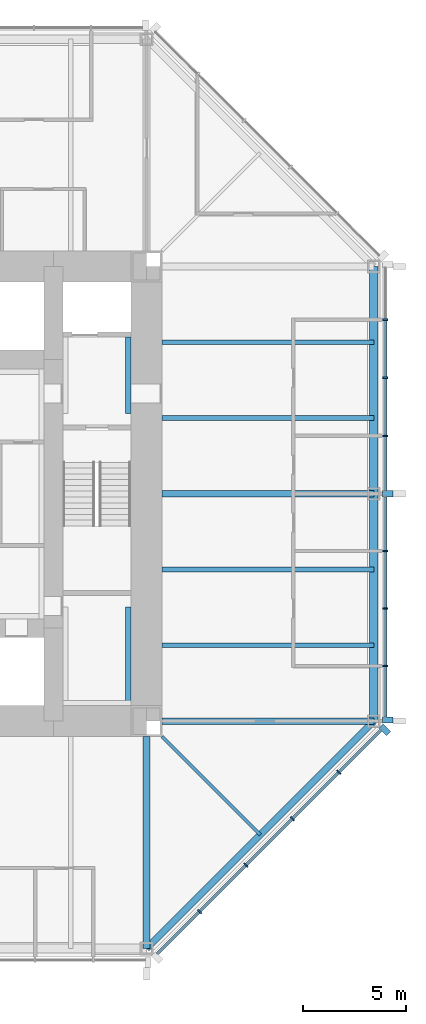
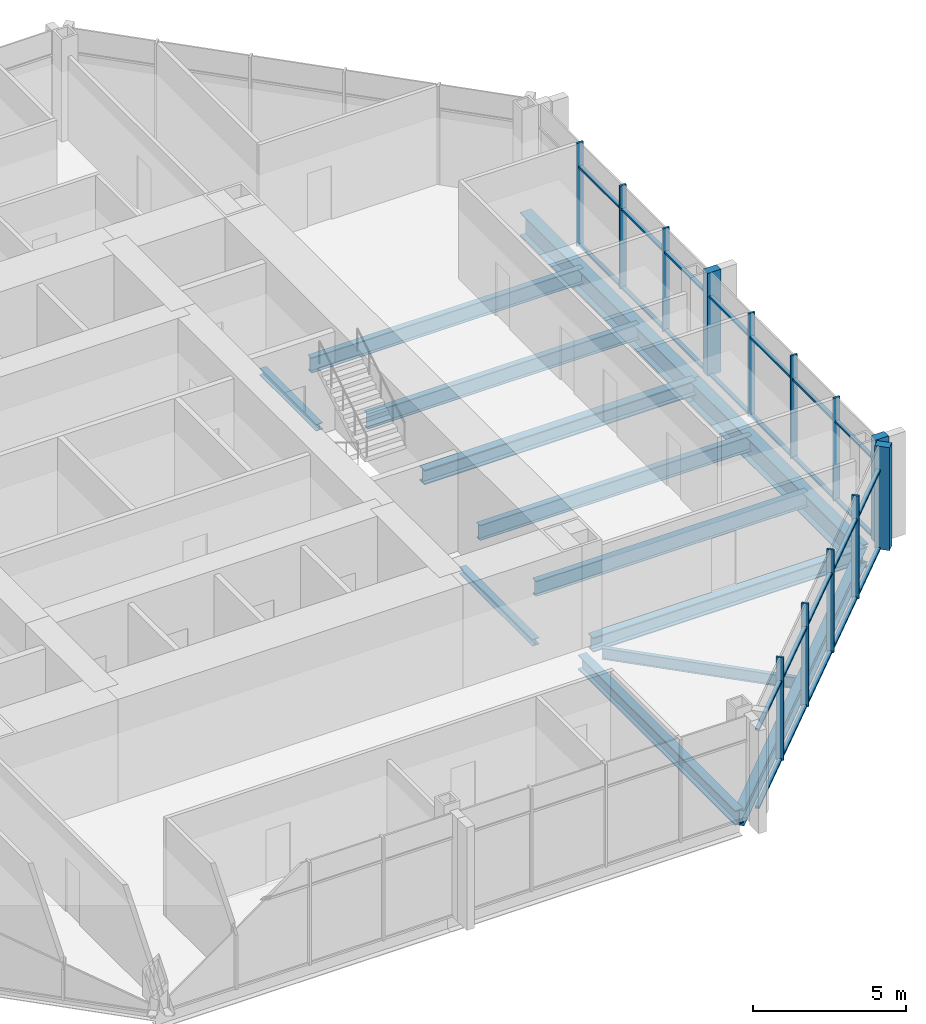
# One storey, part 4 of 12: 37 members, 13 beams, 2 elements without a shape of their own.
"""IFC4 building model written with IfcOpenShell, lengths in metres."""

from ifc_helpers import new_model, si_unit, direction, frame, origin, origin_2d, place, context, subcontext, project, spatial, rectangle, i_section, extrude, material, material_profile, profile_set, type_object, element, aggregate, save


model = new_model("IFC4")

# Units and contexts
model_context = context("Model", 3, precision=1e-05, world=origin(), true_north=direction((0.0, 1.0)))
body_context = subcontext(model_context, "Body", "Model", "MODEL_VIEW")
ifc_project = project(units=[si_unit("LENGTHUNIT", "METRE"), si_unit("AREAUNIT", "SQUARE_METRE"), si_unit("VOLUMEUNIT", "CUBIC_METRE"), si_unit("PLANEANGLEUNIT", "RADIAN"), si_unit("MASSUNIT", "GRAM", prefix="KILO")], contexts=[model_context])

# Site, building, storey
site_placement = place(None, origin())
site = spatial("IfcSite", under=ifc_project, at=site_placement, CompositionType="ELEMENT")
building_placement = place(site_placement, origin())
building = spatial("IfcBuilding", under=site, at=building_placement, Name="Trevanion Tower", CompositionType="ELEMENT")
storey_placement = place(building_placement, frame((0.0, 0.0, 158.199951171875)))
storey = spatial("IfcBuildingStorey", under=building, at=storey_placement, Name="L37", CompositionType="ELEMENT", Elevation=158.199951171875)

# Beams
ifc_material_1 = material(Name="Steel ASTM A992 Grade 50", Category="steel")
ifc_material_profile_1 = material_profile(ifc_material_1, i_section(OverallWidth=0.22900390625, OverallDepth=0.612060546875, WebThickness=0.011962890625, FlangeThickness=0.01953125, at=origin_2d()), Name="W24X84")
ifc_profile_set_1 = profile_set([ifc_material_profile_1], Name="Steel ASTM A992 Grade 50")
beam_type_1 = type_object("IfcBeamType", Name="B7 W24X84", PredefinedType="BEAM", material=ifc_profile_set_1)
for number, where, z_axis, x_axis, name in (
    (1, (11.75, -7.333251953125, -0.49609375), (1.0, 0.0, 0.0), (0.0, 1.0, 0.0), "B7 L37"),
    (2, (11.75, -3.666748046875, -0.49609375), (1.0, 0.0, 0.0), (0.0, 1.0, 0.0), "B7 L37"),
    (3, (11.75, 3.666748046875, -0.49609375), (1.0, 0.0, 0.0), (0.0, 1.0, 0.0), "B7 L37"),
    (4, (11.75, 7.333251953125, -0.49609375), (1.0, 0.0, 0.0), (0.0, 1.0, 0.0), "B7 L37"),
):
    element("IfcBeam", number, at=place(storey_placement, frame(where, z_axis=z_axis, x_axis=x_axis)), inside=storey, type_object=beam_type_1, Name=name, PredefinedType="BEAM", context=body_context, shape_type="SweptSolid", body=[
        extrude(i_section(OverallWidth=0.22900390625, OverallDepth=0.612060546875, WebThickness=0.011962890625, FlangeThickness=0.01953125, at=origin_2d()), origin(), (0.0, 0.0, 1.0), 10.25),
    ])
ifc_material_2 = material(Name="Steel ASTM A992 Grade 50", Category="steel")
ifc_material_profile_2 = material_profile(ifc_material_2, i_section(OverallWidth=0.15234375, OverallDepth=0.449462890625, WebThickness=0.007568359375, FlangeThickness=0.0107421875, at=origin_2d()), Name="W18X35")
ifc_profile_set_2 = profile_set([ifc_material_profile_2], Name="Steel ASTM A992 Grade 50")
beam_type_2 = type_object("IfcBeamType", Name="B8 W18X35", PredefinedType="BEAM", material=ifc_profile_set_2)
beam_1_placement = place(storey_placement, frame((11.75, -11.75, -0.414794921875), z_axis=(0.707106781187, -0.707106781187, 0.0), x_axis=(0.707106781187, 0.707106781187, 0.0)))
element("IfcBeam", 5, at=beam_1_placement, inside=storey, type_object=beam_type_2, Name="B8 L37", PredefinedType="BEAM", context=body_context, shape_type="SweptSolid", body=[
    extrude(i_section(OverallWidth=0.15234375, OverallDepth=0.449462890625, WebThickness=0.007568359375, FlangeThickness=0.0107421875, at=origin_2d()), origin(), (0.0, 0.0, 1.0), 6.717529296875),
])

# Curtain wall, members
ifc_material_3 = material(Name="Aluminium and glass", Category="aluminium")
curtain_wall_type = type_object("IfcCurtainWallType", Name="CW2 curtain wall", PredefinedType="USERDEFINED", material=ifc_material_3)
curtain_wall_1_placement = place(storey_placement, origin())
curtain_wall_1 = element("IfcCurtainWall", 6, at=curtain_wall_1_placement, inside=storey, type_object=curtain_wall_type, Name="CW2 L37 0", ObjectType="UNITISED CURTAIN WALL", PredefinedType="USERDEFINED")
ifc_material_4 = material(Name="Aluminium extrusion, anodised bronze", Category="aluminium")
ifc_material_profile_3 = material_profile(ifc_material_4, rectangle(XDim=0.074951171875, YDim=0.25, at=origin_2d()), Name="CW2 mullion")
ifc_profile_set_3 = profile_set([ifc_material_profile_3], Name="Aluminium extrusion, anodised bronze")
member_type_1 = type_object("IfcMemberType", Name="CW2 mullion", PredefinedType="MULLION", material=ifc_profile_set_3)
member_1_placement = place(storey_placement, frame((22.550048828125, -8.323486328125, -0.18994140625), z_axis=(0.0, 0.0, 1.0), x_axis=(0.0, 1.0, 0.0)))
member_1 = element("IfcMember", 7, at=member_1_placement, type_object=member_type_1, Name="CW2 mullion 2", PredefinedType="MULLION", context=body_context, shape_type="SweptSolid", body=[
    extrude(rectangle(XDim=0.074951171875, YDim=0.25, at=origin_2d()), origin(), (0.0, 0.0, 1.0), 4.10009765625),
])
member_2_placement = place(storey_placement, frame((22.550048828125, -5.548828125, -0.18994140625), z_axis=(0.0, 0.0, 1.0), x_axis=(0.0, 1.0, 0.0)))
member_2 = element("IfcMember", 8, at=member_2_placement, type_object=member_type_1, Name="CW2 mullion 3", PredefinedType="MULLION", context=body_context, shape_type="SweptSolid", body=[
    extrude(rectangle(XDim=0.074951171875, YDim=0.25, at=origin_2d()), origin(), (0.0, 0.0, 1.0), 4.10009765625),
])
member_3_placement = place(storey_placement, frame((22.550048828125, -2.7744140625, -0.18994140625), z_axis=(0.0, 0.0, 1.0), x_axis=(0.0, 1.0, 0.0)))
member_3 = element("IfcMember", 9, at=member_3_placement, type_object=member_type_1, Name="CW2 mullion 4", PredefinedType="MULLION", context=body_context, shape_type="SweptSolid", body=[
    extrude(rectangle(XDim=0.074951171875, YDim=0.25, at=origin_2d()), origin(), (0.0, 0.0, 1.0), 4.10009765625),
])
member_4_placement = place(storey_placement, frame((22.550048828125, 2.806884765625, -0.18994140625), z_axis=(0.0, 0.0, 1.0), x_axis=(0.0, 1.0, 0.0)))
member_4 = element("IfcMember", 10, at=member_4_placement, type_object=member_type_1, Name="CW2 mullion 6", PredefinedType="MULLION", context=body_context, shape_type="SweptSolid", body=[
    extrude(rectangle(XDim=0.074951171875, YDim=0.25, at=origin_2d()), origin(), (0.0, 0.0, 1.0), 4.10009765625),
])
member_5_placement = place(storey_placement, frame((22.550048828125, 5.614013671875, -0.18994140625), z_axis=(0.0, 0.0, 1.0), x_axis=(0.0, 1.0, 0.0)))
member_5 = element("IfcMember", 11, at=member_5_placement, type_object=member_type_1, Name="CW2 mullion 7", PredefinedType="MULLION", context=body_context, shape_type="SweptSolid", body=[
    extrude(rectangle(XDim=0.074951171875, YDim=0.25, at=origin_2d()), origin(), (0.0, 0.0, 1.0), 4.10009765625),
])
member_6_placement = place(storey_placement, frame((22.550048828125, 8.4208984375, -0.18994140625), z_axis=(0.0, 0.0, 1.0), x_axis=(0.0, 1.0, 0.0)))
member_6 = element("IfcMember", 12, at=member_6_placement, type_object=member_type_1, Name="CW2 mullion 8", PredefinedType="MULLION", context=body_context, shape_type="SweptSolid", body=[
    extrude(rectangle(XDim=0.074951171875, YDim=0.25, at=origin_2d()), origin(), (0.0, 0.0, 1.0), 4.10009765625),
])

curtain_wall_2_placement = place(storey_placement, origin())
curtain_wall_2 = element("IfcCurtainWall", 13, at=curtain_wall_2_placement, inside=storey, type_object=curtain_wall_type, Name="CW2 L37 7", ObjectType="UNITISED CURTAIN WALL", PredefinedType="USERDEFINED")
member_7_placement = place(storey_placement, frame((13.56591796875, -20.2119140625, -0.18994140625), z_axis=(0.0, 0.0, 1.0), x_axis=(0.707106781187, 0.707106781187, 0.0)))
member_7 = element("IfcMember", 14, at=member_7_placement, type_object=member_type_1, Name="CW2 mullion 2", PredefinedType="MULLION", context=body_context, shape_type="SweptSolid", body=[
    extrude(rectangle(XDim=0.074951171875, YDim=0.25, at=origin_2d()), origin(), (0.0, 0.0, 1.0), 4.10009765625),
])
member_8_placement = place(storey_placement, frame((15.811767578125, -17.966064453125, -0.18994140625), z_axis=(0.0, 0.0, 1.0), x_axis=(0.707106781187, 0.707106781187, 0.0)))
member_8 = element("IfcMember", 15, at=member_8_placement, type_object=member_type_1, Name="CW2 mullion 3", PredefinedType="MULLION", context=body_context, shape_type="SweptSolid", body=[
    extrude(rectangle(XDim=0.074951171875, YDim=0.25, at=origin_2d()), origin(), (0.0, 0.0, 1.0), 4.10009765625),
])
member_9_placement = place(storey_placement, frame((18.057861328125, -15.719970703125, -0.18994140625), z_axis=(0.0, 0.0, 1.0), x_axis=(0.707106781187, 0.707106781187, 0.0)))
member_9 = element("IfcMember", 16, at=member_9_placement, type_object=member_type_1, Name="CW2 mullion 4", PredefinedType="MULLION", context=body_context, shape_type="SweptSolid", body=[
    extrude(rectangle(XDim=0.074951171875, YDim=0.25, at=origin_2d()), origin(), (0.0, 0.0, 1.0), 4.10009765625),
])
member_10_placement = place(storey_placement, frame((20.303955078125, -13.473876953125, -0.18994140625), z_axis=(0.0, 0.0, 1.0), x_axis=(0.707106781187, 0.707106781187, 0.0)))
member_10 = element("IfcMember", 17, at=member_10_placement, type_object=member_type_1, Name="CW2 mullion 5", PredefinedType="MULLION", context=body_context, shape_type="SweptSolid", body=[
    extrude(rectangle(XDim=0.074951171875, YDim=0.25, at=origin_2d()), origin(), (0.0, 0.0, 1.0), 4.10009765625),
])

# Member
ifc_material_5 = material(Name="Aluminium extrusion, anodised bronze", Category="aluminium")
ifc_material_profile_4 = material_profile(ifc_material_5, rectangle(XDim=0.300048828125, YDim=0.5, at=origin_2d()), Name="CW2 pier mullion")
ifc_profile_set_4 = profile_set([ifc_material_profile_4], Name="Aluminium extrusion, anodised bronze")
member_type_2 = type_object("IfcMemberType", Name="CW2 pier mullion", PredefinedType="MULLION", material=ifc_profile_set_4)
member_11_placement = place(storey_placement, frame((22.675048828125, -10.94775390625, -0.18994140625), z_axis=(0.0, 0.0, 1.0), x_axis=(0.0, 1.0, 0.0)))
member_11 = element("IfcMember", 18, at=member_11_placement, type_object=member_type_2, Name="CW2 pier mullion 1", PredefinedType="MULLION", context=body_context, shape_type="SweptSolid", body=[
    extrude(rectangle(XDim=0.300048828125, YDim=0.5, at=origin_2d()), origin(), (0.0, 0.0, 1.0), 4.10009765625),
])

member_12_placement = place(storey_placement, frame((22.675048828125, 0.0, -0.18994140625), z_axis=(0.0, 0.0, 1.0), x_axis=(0.0, 1.0, 0.0)))
member_12 = element("IfcMember", 19, at=member_12_placement, type_object=member_type_2, Name="CW2 pier mullion 5", PredefinedType="MULLION", context=body_context, shape_type="SweptSolid", body=[
    extrude(rectangle(XDim=0.300048828125, YDim=0.5, at=origin_2d()), origin(), (0.0, 0.0, 1.0), 4.10009765625),
])

member_13_placement = place(storey_placement, frame((22.5322265625, -11.42236328125, -0.18994140625), z_axis=(0.0, 0.0, 1.0), x_axis=(0.707106781187, 0.707106781187, 0.0)))
member_13 = element("IfcMember", 20, at=member_13_placement, type_object=member_type_2, Name="CW2 pier mullion 6", PredefinedType="MULLION", context=body_context, shape_type="SweptSolid", body=[
    extrude(rectangle(XDim=0.300048828125, YDim=0.5, at=origin_2d()), origin(), (0.0, 0.0, 1.0), 4.10009765625),
])

ifc_material_6 = material(Name="Aluminium extrusion, anodised bronze", Category="aluminium")
ifc_material_profile_5 = material_profile(ifc_material_6, rectangle(XDim=0.14990234375, YDim=0.074951171875, at=origin_2d()), Name="CW2 transom")
ifc_profile_set_5 = profile_set([ifc_material_profile_5], Name="Aluminium extrusion, anodised bronze")
member_type_3 = type_object("IfcMemberType", Name="CW2 transom", PredefinedType="USERDEFINED", material=ifc_profile_set_5)
member_14_placement = place(storey_placement, frame((22.550048828125, -10.7978515625, -0.15234375), z_axis=(0.0, 1.0, 0.0), x_axis=(-1.0, 0.0, 0.0)))
member_14 = element("IfcMember", 21, at=member_14_placement, type_object=member_type_3, Name="CW2 transom 1.1", ObjectType="TRANSOM", PredefinedType="USERDEFINED", context=body_context, shape_type="SweptSolid", body=[
    extrude(rectangle(XDim=0.14990234375, YDim=0.074951171875, at=origin_2d()), origin(), (0.0, 0.0, 1.0), 2.43701171875),
])

member_15_placement = place(storey_placement, frame((22.550048828125, -10.7978515625, 2.9599609375), z_axis=(0.0, 1.0, 0.0), x_axis=(-1.0, 0.0, 0.0)))
member_15 = element("IfcMember", 22, at=member_15_placement, type_object=member_type_3, Name="CW2 transom 1.2", ObjectType="TRANSOM", PredefinedType="USERDEFINED", context=body_context, shape_type="SweptSolid", body=[
    extrude(rectangle(XDim=0.14990234375, YDim=0.074951171875, at=origin_2d()), origin(), (0.0, 0.0, 1.0), 2.43701171875),
])

member_16_placement = place(storey_placement, frame((22.550048828125, -8.285888671875, -0.15234375), z_axis=(0.0, 1.0, 0.0), x_axis=(-1.0, 0.0, 0.0)))
member_16 = element("IfcMember", 23, at=member_16_placement, type_object=member_type_3, Name="CW2 transom 2.1", ObjectType="TRANSOM", PredefinedType="USERDEFINED", context=body_context, shape_type="SweptSolid", body=[
    extrude(rectangle(XDim=0.14990234375, YDim=0.074951171875, at=origin_2d()), origin(), (0.0, 0.0, 1.0), 2.699462890625),
])

member_17_placement = place(storey_placement, frame((22.550048828125, -8.285888671875, 2.9599609375), z_axis=(0.0, 1.0, 0.0), x_axis=(-1.0, 0.0, 0.0)))
member_17 = element("IfcMember", 24, at=member_17_placement, type_object=member_type_3, Name="CW2 transom 2.2", ObjectType="TRANSOM", PredefinedType="USERDEFINED", context=body_context, shape_type="SweptSolid", body=[
    extrude(rectangle(XDim=0.14990234375, YDim=0.074951171875, at=origin_2d()), origin(), (0.0, 0.0, 1.0), 2.699462890625),
])

member_18_placement = place(storey_placement, frame((22.550048828125, -5.511474609375, -0.15234375), z_axis=(0.0, 1.0, 0.0), x_axis=(-1.0, 0.0, 0.0)))
member_18 = element("IfcMember", 25, at=member_18_placement, type_object=member_type_3, Name="CW2 transom 3.1", ObjectType="TRANSOM", PredefinedType="USERDEFINED", context=body_context, shape_type="SweptSolid", body=[
    extrude(rectangle(XDim=0.14990234375, YDim=0.074951171875, at=origin_2d()), origin(), (0.0, 0.0, 1.0), 2.699462890625),
])

member_19_placement = place(storey_placement, frame((22.550048828125, -5.511474609375, 2.9599609375), z_axis=(0.0, 1.0, 0.0), x_axis=(-1.0, 0.0, 0.0)))
member_19 = element("IfcMember", 26, at=member_19_placement, type_object=member_type_3, Name="CW2 transom 3.2", ObjectType="TRANSOM", PredefinedType="USERDEFINED", context=body_context, shape_type="SweptSolid", body=[
    extrude(rectangle(XDim=0.14990234375, YDim=0.074951171875, at=origin_2d()), origin(), (0.0, 0.0, 1.0), 2.699462890625),
])

member_20_placement = place(storey_placement, frame((22.550048828125, -2.737060546875, -0.15234375), z_axis=(0.0, 1.0, 0.0), x_axis=(-1.0, 0.0, 0.0)))
member_20 = element("IfcMember", 27, at=member_20_placement, type_object=member_type_3, Name="CW2 transom 4.1", ObjectType="TRANSOM", PredefinedType="USERDEFINED", context=body_context, shape_type="SweptSolid", body=[
    extrude(rectangle(XDim=0.14990234375, YDim=0.074951171875, at=origin_2d()), origin(), (0.0, 0.0, 1.0), 2.587158203125),
])

member_21_placement = place(storey_placement, frame((22.550048828125, -2.737060546875, 2.9599609375), z_axis=(0.0, 1.0, 0.0), x_axis=(-1.0, 0.0, 0.0)))
member_21 = element("IfcMember", 28, at=member_21_placement, type_object=member_type_3, Name="CW2 transom 4.2", ObjectType="TRANSOM", PredefinedType="USERDEFINED", context=body_context, shape_type="SweptSolid", body=[
    extrude(rectangle(XDim=0.14990234375, YDim=0.074951171875, at=origin_2d()), origin(), (0.0, 0.0, 1.0), 2.587158203125),
])

member_22_placement = place(storey_placement, frame((22.550048828125, 0.14990234375, -0.15234375), z_axis=(0.0, 1.0, 0.0), x_axis=(-1.0, 0.0, 0.0)))
member_22 = element("IfcMember", 29, at=member_22_placement, type_object=member_type_3, Name="CW2 transom 5.1", ObjectType="TRANSOM", PredefinedType="USERDEFINED", context=body_context, shape_type="SweptSolid", body=[
    extrude(rectangle(XDim=0.14990234375, YDim=0.074951171875, at=origin_2d()), origin(), (0.0, 0.0, 1.0), 2.619384765625),
])

member_23_placement = place(storey_placement, frame((22.550048828125, 0.14990234375, 2.9599609375), z_axis=(0.0, 1.0, 0.0), x_axis=(-1.0, 0.0, 0.0)))
member_23 = element("IfcMember", 30, at=member_23_placement, type_object=member_type_3, Name="CW2 transom 5.2", ObjectType="TRANSOM", PredefinedType="USERDEFINED", context=body_context, shape_type="SweptSolid", body=[
    extrude(rectangle(XDim=0.14990234375, YDim=0.074951171875, at=origin_2d()), origin(), (0.0, 0.0, 1.0), 2.619384765625),
])

member_24_placement = place(storey_placement, frame((22.550048828125, 2.844482421875, -0.15234375), z_axis=(0.0, 1.0, 0.0), x_axis=(-1.0, 0.0, 0.0)))
member_24 = element("IfcMember", 31, at=member_24_placement, type_object=member_type_3, Name="CW2 transom 6.1", ObjectType="TRANSOM", PredefinedType="USERDEFINED", context=body_context, shape_type="SweptSolid", body=[
    extrude(rectangle(XDim=0.14990234375, YDim=0.074951171875, at=origin_2d()), origin(), (0.0, 0.0, 1.0), 2.73193359375),
])

member_25_placement = place(storey_placement, frame((22.550048828125, 2.844482421875, 2.9599609375), z_axis=(0.0, 1.0, 0.0), x_axis=(-1.0, 0.0, 0.0)))
member_25 = element("IfcMember", 32, at=member_25_placement, type_object=member_type_3, Name="CW2 transom 6.2", ObjectType="TRANSOM", PredefinedType="USERDEFINED", context=body_context, shape_type="SweptSolid", body=[
    extrude(rectangle(XDim=0.14990234375, YDim=0.074951171875, at=origin_2d()), origin(), (0.0, 0.0, 1.0), 2.73193359375),
])

member_26_placement = place(storey_placement, frame((22.550048828125, 5.6513671875, -0.15234375), z_axis=(0.0, 1.0, 0.0), x_axis=(-1.0, 0.0, 0.0)))
member_26 = element("IfcMember", 33, at=member_26_placement, type_object=member_type_3, Name="CW2 transom 7.1", ObjectType="TRANSOM", PredefinedType="USERDEFINED", context=body_context, shape_type="SweptSolid", body=[
    extrude(rectangle(XDim=0.14990234375, YDim=0.074951171875, at=origin_2d()), origin(), (0.0, 0.0, 1.0), 2.73193359375),
])

member_27_placement = place(storey_placement, frame((22.550048828125, 5.6513671875, 2.9599609375), z_axis=(0.0, 1.0, 0.0), x_axis=(-1.0, 0.0, 0.0)))
member_27 = element("IfcMember", 34, at=member_27_placement, type_object=member_type_3, Name="CW2 transom 7.2", ObjectType="TRANSOM", PredefinedType="USERDEFINED", context=body_context, shape_type="SweptSolid", body=[
    extrude(rectangle(XDim=0.14990234375, YDim=0.074951171875, at=origin_2d()), origin(), (0.0, 0.0, 1.0), 2.73193359375),
])

aggregate(curtain_wall_1, [member_11, member_1, member_2, member_3, member_12, member_4, member_5, member_6, member_14, member_15, member_16, member_17, member_18, member_19, member_20, member_21, member_22, member_23, member_24, member_25, member_26, member_27])

member_28_placement = place(storey_placement, frame((11.531982421875, -22.245849609375, -0.15234375), z_axis=(0.707106781187, 0.707106781187, 0.0), x_axis=(-0.707106781187, 0.707106781187, 0.0)))
member_28 = element("IfcMember", 35, at=member_28_placement, type_object=member_type_3, Name="CW2 transom 1.1", ObjectType="TRANSOM", PredefinedType="USERDEFINED", context=body_context, shape_type="SweptSolid", body=[
    extrude(rectangle(XDim=0.14990234375, YDim=0.074951171875, at=origin_2d()), origin(), (0.0, 0.0, 1.0), 2.8388671875),
])

member_29_placement = place(storey_placement, frame((11.531982421875, -22.245849609375, 2.9599609375), z_axis=(0.707106781187, 0.707106781187, 0.0), x_axis=(-0.707106781187, 0.707106781187, 0.0)))
member_29 = element("IfcMember", 36, at=member_29_placement, type_object=member_type_3, Name="CW2 transom 1.2", ObjectType="TRANSOM", PredefinedType="USERDEFINED", context=body_context, shape_type="SweptSolid", body=[
    extrude(rectangle(XDim=0.14990234375, YDim=0.074951171875, at=origin_2d()), origin(), (0.0, 0.0, 1.0), 2.8388671875),
])

member_30_placement = place(storey_placement, frame((13.59228515625, -20.185546875, -0.15234375), z_axis=(0.707106781187, 0.707106781187, 0.0), x_axis=(-0.707106781187, 0.707106781187, 0.0)))
member_30 = element("IfcMember", 37, at=member_30_placement, type_object=member_type_3, Name="CW2 transom 2.1", ObjectType="TRANSOM", PredefinedType="USERDEFINED", context=body_context, shape_type="SweptSolid", body=[
    extrude(rectangle(XDim=0.14990234375, YDim=0.074951171875, at=origin_2d()), origin(), (0.0, 0.0, 1.0), 3.1015625),
])

member_31_placement = place(storey_placement, frame((13.59228515625, -20.185546875, 2.9599609375), z_axis=(0.707106781187, 0.707106781187, 0.0), x_axis=(-0.707106781187, 0.707106781187, 0.0)))
member_31 = element("IfcMember", 38, at=member_31_placement, type_object=member_type_3, Name="CW2 transom 2.2", ObjectType="TRANSOM", PredefinedType="USERDEFINED", context=body_context, shape_type="SweptSolid", body=[
    extrude(rectangle(XDim=0.14990234375, YDim=0.074951171875, at=origin_2d()), origin(), (0.0, 0.0, 1.0), 3.1015625),
])

member_32_placement = place(storey_placement, frame((15.83837890625, -17.939453125, -0.15234375), z_axis=(0.707106781187, 0.707106781187, 0.0), x_axis=(-0.707106781187, 0.707106781187, 0.0)))
member_32 = element("IfcMember", 39, at=member_32_placement, type_object=member_type_3, Name="CW2 transom 3.1", ObjectType="TRANSOM", PredefinedType="USERDEFINED", context=body_context, shape_type="SweptSolid", body=[
    extrude(rectangle(XDim=0.14990234375, YDim=0.074951171875, at=origin_2d()), origin(), (0.0, 0.0, 1.0), 3.1015625),
])

member_33_placement = place(storey_placement, frame((15.83837890625, -17.939453125, 2.9599609375), z_axis=(0.707106781187, 0.707106781187, 0.0), x_axis=(-0.707106781187, 0.707106781187, 0.0)))
member_33 = element("IfcMember", 40, at=member_33_placement, type_object=member_type_3, Name="CW2 transom 3.2", ObjectType="TRANSOM", PredefinedType="USERDEFINED", context=body_context, shape_type="SweptSolid", body=[
    extrude(rectangle(XDim=0.14990234375, YDim=0.074951171875, at=origin_2d()), origin(), (0.0, 0.0, 1.0), 3.1015625),
])

member_34_placement = place(storey_placement, frame((18.08447265625, -15.693359375, -0.15234375), z_axis=(0.707106781187, 0.707106781187, 0.0), x_axis=(-0.707106781187, 0.707106781187, 0.0)))
member_34 = element("IfcMember", 41, at=member_34_placement, type_object=member_type_3, Name="CW2 transom 4.1", ObjectType="TRANSOM", PredefinedType="USERDEFINED", context=body_context, shape_type="SweptSolid", body=[
    extrude(rectangle(XDim=0.14990234375, YDim=0.074951171875, at=origin_2d()), origin(), (0.0, 0.0, 1.0), 3.10107421875),
])

member_35_placement = place(storey_placement, frame((18.08447265625, -15.693359375, 2.9599609375), z_axis=(0.707106781187, 0.707106781187, 0.0), x_axis=(-0.707106781187, 0.707106781187, 0.0)))
member_35 = element("IfcMember", 42, at=member_35_placement, type_object=member_type_3, Name="CW2 transom 4.2", ObjectType="TRANSOM", PredefinedType="USERDEFINED", context=body_context, shape_type="SweptSolid", body=[
    extrude(rectangle(XDim=0.14990234375, YDim=0.074951171875, at=origin_2d()), origin(), (0.0, 0.0, 1.0), 3.10107421875),
])

member_36_placement = place(storey_placement, frame((20.33056640625, -13.447509765625, -0.15234375), z_axis=(0.707063781595, 0.707149778163, 0.0), x_axis=(-0.707149778163, 0.707063781595, 0.0)))
member_36 = element("IfcMember", 43, at=member_36_placement, type_object=member_type_3, Name="CW2 transom 5.1", ObjectType="TRANSOM", PredefinedType="USERDEFINED", context=body_context, shape_type="SweptSolid", body=[
    extrude(rectangle(XDim=0.14990234375, YDim=0.074951171875, at=origin_2d()), origin(), (0.0, 0.0, 1.0), 2.8388671875),
])

member_37_placement = place(storey_placement, frame((20.33056640625, -13.447509765625, 2.9599609375), z_axis=(0.707063781595, 0.707149778163, 0.0), x_axis=(-0.707149778163, 0.707063781595, 0.0)))
member_37 = element("IfcMember", 44, at=member_37_placement, type_object=member_type_3, Name="CW2 transom 5.2", ObjectType="TRANSOM", PredefinedType="USERDEFINED", context=body_context, shape_type="SweptSolid", body=[
    extrude(rectangle(XDim=0.14990234375, YDim=0.074951171875, at=origin_2d()), origin(), (0.0, 0.0, 1.0), 2.8388671875),
])

aggregate(curtain_wall_2, [member_7, member_8, member_9, member_10, member_13, member_28, member_29, member_30, member_31, member_32, member_33, member_34, member_35, member_36, member_37])

# Beams
ifc_material_7 = material(Name="Steel ASTM A992 Grade 50", Category="steel")
ifc_material_profile_6 = material_profile(ifc_material_7, i_section(OverallWidth=0.320068359375, OverallDepth=0.584228515625, WebThickness=0.023193359375, FlangeThickness=0.04150390625, at=origin_2d()), Name="W21X201")
ifc_profile_set_6 = profile_set([ifc_material_profile_6], Name="Steel ASTM A992 Grade 50")
beam_type_3 = type_object("IfcBeamType", Name="G4 W21X201", PredefinedType="BEAM", material=ifc_profile_set_6)
for number, where, z_axis, x_axis, name in (
    (45, (11.75, -11.0, -0.48193359375), (1.0, 0.0, 0.0), (0.0, 1.0, 0.0), "G4 L37"),
    (46, (11.75, 0.0, -0.48193359375), (1.0, 0.0, 0.0), (0.0, 1.0, 0.0), "G4 L37"),
    (47, (11.0, -11.75, -0.48193359375), (0.0, -1.0, 0.0), (1.0, 0.0, 0.0), "G4 L37"),
):
    element("IfcBeam", number, at=place(storey_placement, frame(where, z_axis=z_axis, x_axis=x_axis)), inside=storey, type_object=beam_type_3, Name=name, PredefinedType="BEAM", context=body_context, shape_type="SweptSolid", body=[
        extrude(i_section(OverallWidth=0.320068359375, OverallDepth=0.584228515625, WebThickness=0.023193359375, FlangeThickness=0.04150390625, at=origin_2d()), origin(), (0.0, 0.0, 1.0), 10.25),
    ])
ifc_material_8 = material(Name="Steel ASTM A992 Grade 50", Category="steel")
ifc_material_profile_7 = material_profile(ifc_material_8, i_section(OverallWidth=0.256591796875, OverallDepth=0.26416015625, WebThickness=0.011962890625, FlangeThickness=0.01953125, at=origin_2d()), Name="W10X68")
ifc_profile_set_7 = profile_set([ifc_material_profile_7], Name="Steel ASTM A992 Grade 50")
beam_type_4 = type_object("IfcBeamType", Name="LB1 W10X68", PredefinedType="BEAM", material=ifc_profile_set_7)
beam_2_placement = place(storey_placement, frame((10.12158203125, 3.875, -0.33203125), z_axis=(0.0, 1.0, 0.0), x_axis=(-1.0, 0.0, 0.0)))
element("IfcBeam", 48, at=beam_2_placement, inside=storey, type_object=beam_type_4, Name="LB1 L37", PredefinedType="BEAM", context=body_context, shape_type="SweptSolid", body=[
    extrude(i_section(OverallWidth=0.256591796875, OverallDepth=0.26416015625, WebThickness=0.011962890625, FlangeThickness=0.01953125, at=origin_2d()), origin(), (0.0, 0.0, 1.0), 3.699951171875),
])
beam_3_placement = place(storey_placement, frame((10.12158203125, -10.25, -0.33203125), z_axis=(0.0, 1.0, 0.0), x_axis=(-1.0, 0.0, 0.0)))
element("IfcBeam", 49, at=beam_3_placement, inside=storey, type_object=beam_type_4, Name="LB1 L37", PredefinedType="BEAM", context=body_context, shape_type="SweptSolid", body=[
    extrude(i_section(OverallWidth=0.256591796875, OverallDepth=0.26416015625, WebThickness=0.011962890625, FlangeThickness=0.01953125, at=origin_2d()), origin(), (0.0, 0.0, 1.0), 4.77490234375),
])
ifc_material_9 = material(Name="Steel ASTM A992 Grade 50", Category="steel")
ifc_material_profile_8 = material_profile(ifc_material_9, i_section(OverallWidth=0.419189453125, OverallDepth=0.927001953125, WebThickness=0.019287109375, FlangeThickness=0.031982421875, at=origin_2d()), Name="W36X231")
ifc_profile_set_8 = profile_set([ifc_material_profile_8], Name="Steel ASTM A992 Grade 50")
beam_type_5 = type_object("IfcBeamType", Name="SB4 W36X231", PredefinedType="SPANDREL", material=ifc_profile_set_8)
for number, where, z_axis, x_axis, name in (
    (50, (22.0, -11.0, -0.653564453125), (0.0, 1.0, 0.0), (-1.0, 0.0, 0.0), "SB4 L37"),
    (51, (22.0, 0.0, -0.653564453125), (0.0, 1.0, 0.0), (-1.0, 0.0, 0.0), "SB4 L37"),
):
    element("IfcBeam", number, at=place(storey_placement, frame(where, z_axis=z_axis, x_axis=x_axis)), inside=storey, type_object=beam_type_5, Name=name, PredefinedType="SPANDREL", context=body_context, shape_type="SweptSolid", body=[
        extrude(i_section(OverallWidth=0.419189453125, OverallDepth=0.927001953125, WebThickness=0.019287109375, FlangeThickness=0.031982421875, at=origin_2d()), origin(), (0.0, 0.0, 1.0), 11.0),
    ])
ifc_material_10 = material(Name="Steel ASTM A992 Grade 50", Category="steel")
ifc_material_profile_9 = material_profile(ifc_material_10, i_section(OverallWidth=0.32763671875, OverallDepth=0.62744140625, WebThickness=0.0166015625, FlangeThickness=0.027587890625, at=origin_2d()), Name="W24X146")
ifc_profile_set_9 = profile_set([ifc_material_profile_9], Name="Steel ASTM A992 Grade 50")
beam_type_6 = type_object("IfcBeamType", Name="SB5 W24X146", PredefinedType="SPANDREL", material=ifc_profile_set_9)
beam_4_placement = place(storey_placement, frame((11.0, -22.0, -0.503662109375), z_axis=(0.707106781187, 0.707106781187, 0.0), x_axis=(-0.707106781187, 0.707106781187, 0.0)))
element("IfcBeam", 52, at=beam_4_placement, inside=storey, type_object=beam_type_6, Name="SB5 L37", PredefinedType="SPANDREL", context=body_context, shape_type="SweptSolid", body=[
    extrude(i_section(OverallWidth=0.32763671875, OverallDepth=0.62744140625, WebThickness=0.0166015625, FlangeThickness=0.027587890625, at=origin_2d()), origin(), (0.0, 0.0, 1.0), 15.556396484375),
])

save(model, "model.ifc")
